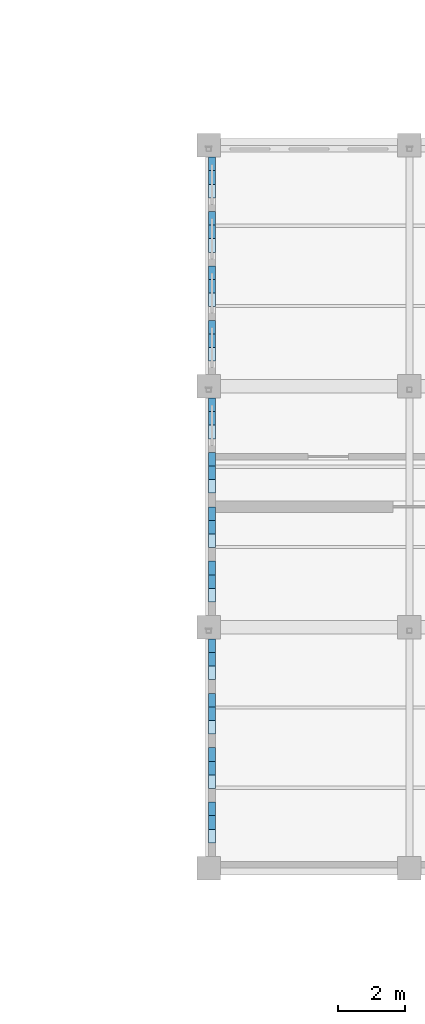
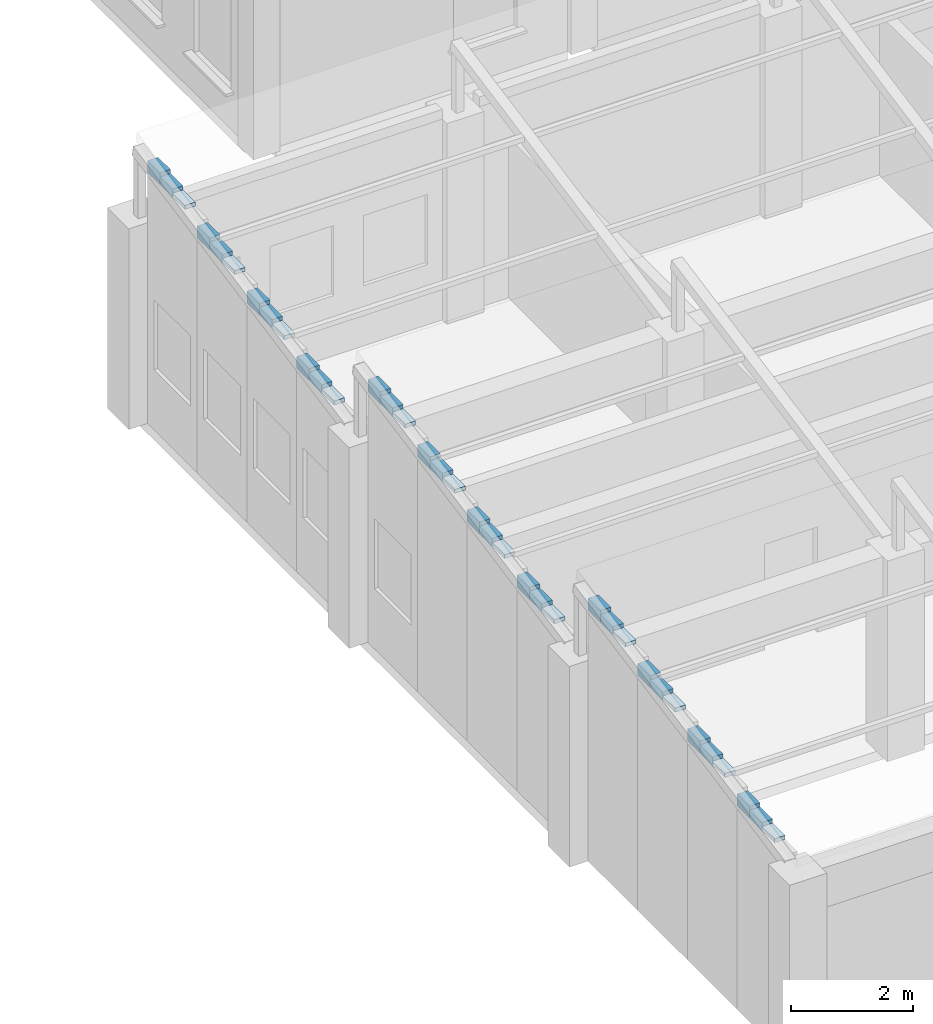
# One storey, part 59 of 103: 36 plates.
"""IFC4 building model written with IfcOpenShell, lengths in metres."""

from ifc_helpers import new_model, si_unit, direction, frame, origin, origin_2d, place, context, subcontext, project, spatial, rectangle, extrude, material, layer, layer_set, type_object, element, save


model = new_model("IFC4")

# Units and contexts
model_context = context("Model", 3, precision=1e-05, world=origin(), true_north=direction((0.0, 1.0)))
body_context = subcontext(model_context, "Body", "Model", "MODEL_VIEW")
ifc_project = project(units=[si_unit("LENGTHUNIT", "METRE"), si_unit("AREAUNIT", "SQUARE_METRE"), si_unit("VOLUMEUNIT", "CUBIC_METRE"), si_unit("PLANEANGLEUNIT", "RADIAN"), si_unit("MASSUNIT", "GRAM", prefix="KILO")], contexts=[model_context])

# Site, building, storey
site_placement = place(None, origin())
site = spatial("IfcSite", under=ifc_project, at=site_placement, CompositionType="ELEMENT")
building_placement = place(site_placement, origin())
building = spatial("IfcBuilding", under=site, at=building_placement, Name="Laocheng Heights Fire and Rescue Headquarters", CompositionType="ELEMENT")
storey_placement = place(building_placement, frame((0.0, 0.0, 4.199951171875)))
storey = spatial("IfcBuildingStorey", under=building, at=storey_placement, Name="L01", CompositionType="ELEMENT", Elevation=4.199951171875)

# Plates
ifc_material = material(Name="Aluminium profiled sheet cladding on insulated steel liner", Category="steel")
ifc_layer = layer(ifc_material, 0.199951171875)
ifc_layer_set = layer_set([ifc_layer], Name="Aluminium profiled sheet cladding on insulated steel liner")
plate_type = type_object("IfcPlateType", Name="SAWTOOTH END CLOSURE PLATE 200", PredefinedType="SHEET", material=ifc_layer_set)
plate_1_placement = place(storey_placement, frame((108.10009765625, 0.95947265625, 4.059326171875), z_axis=(0.0, 0.0, 1.0), x_axis=(1.0, 0.0, 0.0)))
element("IfcPlate", 1, at=plate_1_placement, inside=storey, type_object=plate_type, Name="Sawtooth end closure plate 37", PredefinedType="SHEET", context=body_context, shape_type="SweptSolid", body=[
    extrude(rectangle(XDim=0.199951171875, YDim=0.40625, at=origin_2d()), origin(), (0.0, 0.0, 1.0), 0.0791015625),
])
plate_2_placement = place(storey_placement, frame((108.10009765625, 1.365478515625, 4.0595703125), z_axis=(0.0, 0.0, 1.0), x_axis=(1.0, 0.0, 0.0)))
element("IfcPlate", 2, at=plate_2_placement, inside=storey, type_object=plate_type, Name="Sawtooth end closure plate 38", PredefinedType="SHEET", context=body_context, shape_type="SweptSolid", body=[
    extrude(rectangle(XDim=0.199951171875, YDim=0.40625, at=origin_2d()), origin(), (0.0, 0.0, 1.0), 0.157958984375),
])
plate_3_placement = place(storey_placement, frame((108.10009765625, 1.77197265625, 4.05908203125), z_axis=(0.0, 0.0, 1.0), x_axis=(1.0, 0.0, 0.0)))
element("IfcPlate", 3, at=plate_3_placement, inside=storey, type_object=plate_type, Name="Sawtooth end closure plate 39", PredefinedType="SHEET", context=body_context, shape_type="SweptSolid", body=[
    extrude(rectangle(XDim=0.199951171875, YDim=0.40625, at=origin_2d()), origin(), (0.0, 0.0, 1.0), 0.237060546875),
])
plate_4_placement = place(storey_placement, frame((108.10009765625, 2.58447265625, 4.375244140625), z_axis=(0.0, 0.0, 1.0), x_axis=(1.0, 0.0, 0.0)))
element("IfcPlate", 4, at=plate_4_placement, inside=storey, type_object=plate_type, Name="Sawtooth end closure plate 40", PredefinedType="SHEET", context=body_context, shape_type="SweptSolid", body=[
    extrude(rectangle(XDim=0.199951171875, YDim=0.40625, at=origin_2d()), origin(), (0.0, 0.0, 1.0), 0.0791015625),
])
plate_5_placement = place(storey_placement, frame((108.10009765625, 2.990478515625, 4.37548828125), z_axis=(0.0, 0.0, 1.0), x_axis=(1.0, 0.0, 0.0)))
element("IfcPlate", 5, at=plate_5_placement, inside=storey, type_object=plate_type, Name="Sawtooth end closure plate 41", PredefinedType="SHEET", context=body_context, shape_type="SweptSolid", body=[
    extrude(rectangle(XDim=0.199951171875, YDim=0.40625, at=origin_2d()), origin(), (0.0, 0.0, 1.0), 0.157958984375),
])
plate_6_placement = place(storey_placement, frame((108.10009765625, 3.39697265625, 4.37548828125), z_axis=(0.0, 0.0, 1.0), x_axis=(1.0, 0.0, 0.0)))
element("IfcPlate", 6, at=plate_6_placement, inside=storey, type_object=plate_type, Name="Sawtooth end closure plate 42", PredefinedType="SHEET", context=body_context, shape_type="SweptSolid", body=[
    extrude(rectangle(XDim=0.199951171875, YDim=0.40625, at=origin_2d()), origin(), (0.0, 0.0, 1.0), 0.237060546875),
])
plate_7_placement = place(storey_placement, frame((108.10009765625, 4.20947265625, 4.69140625), z_axis=(0.0, 0.0, 1.0), x_axis=(1.0, 0.0, 0.0)))
element("IfcPlate", 7, at=plate_7_placement, inside=storey, type_object=plate_type, Name="Sawtooth end closure plate 43", PredefinedType="SHEET", context=body_context, shape_type="SweptSolid", body=[
    extrude(rectangle(XDim=0.199951171875, YDim=0.40625, at=origin_2d()), origin(), (0.0, 0.0, 1.0), 0.078857421875),
])
plate_8_placement = place(storey_placement, frame((108.10009765625, 4.615478515625, 4.69140625), z_axis=(0.0, 0.0, 1.0), x_axis=(1.0, 0.0, 0.0)))
element("IfcPlate", 8, at=plate_8_placement, inside=storey, type_object=plate_type, Name="Sawtooth end closure plate 44", PredefinedType="SHEET", context=body_context, shape_type="SweptSolid", body=[
    extrude(rectangle(XDim=0.199951171875, YDim=0.40625, at=origin_2d()), origin(), (0.0, 0.0, 1.0), 0.157958984375),
])
plate_9_placement = place(storey_placement, frame((108.10009765625, 5.02197265625, 4.69140625), z_axis=(0.0, 0.0, 1.0), x_axis=(1.0, 0.0, 0.0)))
element("IfcPlate", 9, at=plate_9_placement, inside=storey, type_object=plate_type, Name="Sawtooth end closure plate 45", PredefinedType="SHEET", context=body_context, shape_type="SweptSolid", body=[
    extrude(rectangle(XDim=0.199951171875, YDim=0.40625, at=origin_2d()), origin(), (0.0, 0.0, 1.0), 0.23681640625),
])
plate_10_placement = place(storey_placement, frame((108.10009765625, 5.83447265625, 5.007080078125), z_axis=(0.0, 0.0, 1.0), x_axis=(1.0, 0.0, 0.0)))
element("IfcPlate", 10, at=plate_10_placement, inside=storey, type_object=plate_type, Name="Sawtooth end closure plate 46", PredefinedType="SHEET", context=body_context, shape_type="SweptSolid", body=[
    extrude(rectangle(XDim=0.199951171875, YDim=0.40625, at=origin_2d()), origin(), (0.0, 0.0, 1.0), 0.0791015625),
])
plate_11_placement = place(storey_placement, frame((108.10009765625, 6.240478515625, 5.00732421875), z_axis=(0.0, 0.0, 1.0), x_axis=(1.0, 0.0, 0.0)))
element("IfcPlate", 11, at=plate_11_placement, inside=storey, type_object=plate_type, Name="Sawtooth end closure plate 47", PredefinedType="SHEET", context=body_context, shape_type="SweptSolid", body=[
    extrude(rectangle(XDim=0.199951171875, YDim=0.40625, at=origin_2d()), origin(), (0.0, 0.0, 1.0), 0.157958984375),
])
plate_12_placement = place(storey_placement, frame((108.10009765625, 6.64697265625, 5.00732421875), z_axis=(0.0, 0.0, 1.0), x_axis=(1.0, 0.0, 0.0)))
element("IfcPlate", 12, at=plate_12_placement, inside=storey, type_object=plate_type, Name="Sawtooth end closure plate 48", PredefinedType="SHEET", context=body_context, shape_type="SweptSolid", body=[
    extrude(rectangle(XDim=0.199951171875, YDim=0.40625, at=origin_2d()), origin(), (0.0, 0.0, 1.0), 0.237060546875),
])
plate_13_placement = place(storey_placement, frame((108.10009765625, 8.159423828125, 4.059326171875), z_axis=(0.0, 0.0, 1.0), x_axis=(1.0, 0.0, 0.0)))
element("IfcPlate", 13, at=plate_13_placement, inside=storey, type_object=plate_type, Name="Sawtooth end closure plate 49", PredefinedType="SHEET", context=body_context, shape_type="SweptSolid", body=[
    extrude(rectangle(XDim=0.199951171875, YDim=0.40625, at=origin_2d()), origin(), (0.0, 0.0, 1.0), 0.0791015625),
])
plate_14_placement = place(storey_placement, frame((108.10009765625, 8.565673828125, 4.0595703125), z_axis=(0.0, 0.0, 1.0), x_axis=(1.0, 0.0, 0.0)))
element("IfcPlate", 14, at=plate_14_placement, inside=storey, type_object=plate_type, Name="Sawtooth end closure plate 50", PredefinedType="SHEET", context=body_context, shape_type="SweptSolid", body=[
    extrude(rectangle(XDim=0.199951171875, YDim=0.40625, at=origin_2d()), origin(), (0.0, 0.0, 1.0), 0.157958984375),
])
plate_15_placement = place(storey_placement, frame((108.10009765625, 8.971923828125, 4.05908203125), z_axis=(0.0, 0.0, 1.0), x_axis=(1.0, 0.0, 0.0)))
element("IfcPlate", 15, at=plate_15_placement, inside=storey, type_object=plate_type, Name="Sawtooth end closure plate 51", PredefinedType="SHEET", context=body_context, shape_type="SweptSolid", body=[
    extrude(rectangle(XDim=0.199951171875, YDim=0.40625, at=origin_2d()), origin(), (0.0, 0.0, 1.0), 0.237060546875),
])
plate_16_placement = place(storey_placement, frame((108.10009765625, 9.784423828125, 4.375244140625), z_axis=(0.0, 0.0, 1.0), x_axis=(1.0, 0.0, 0.0)))
element("IfcPlate", 16, at=plate_16_placement, inside=storey, type_object=plate_type, Name="Sawtooth end closure plate 52", PredefinedType="SHEET", context=body_context, shape_type="SweptSolid", body=[
    extrude(rectangle(XDim=0.199951171875, YDim=0.40625, at=origin_2d()), origin(), (0.0, 0.0, 1.0), 0.0791015625),
])
plate_17_placement = place(storey_placement, frame((108.10009765625, 10.190673828125, 4.37548828125), z_axis=(0.0, 0.0, 1.0), x_axis=(1.0, 0.0, 0.0)))
element("IfcPlate", 17, at=plate_17_placement, inside=storey, type_object=plate_type, Name="Sawtooth end closure plate 53", PredefinedType="SHEET", context=body_context, shape_type="SweptSolid", body=[
    extrude(rectangle(XDim=0.199951171875, YDim=0.40625, at=origin_2d()), origin(), (0.0, 0.0, 1.0), 0.157958984375),
])
plate_18_placement = place(storey_placement, frame((108.10009765625, 10.596923828125, 4.37548828125), z_axis=(0.0, 0.0, 1.0), x_axis=(1.0, 0.0, 0.0)))
element("IfcPlate", 18, at=plate_18_placement, inside=storey, type_object=plate_type, Name="Sawtooth end closure plate 54", PredefinedType="SHEET", context=body_context, shape_type="SweptSolid", body=[
    extrude(rectangle(XDim=0.199951171875, YDim=0.40625, at=origin_2d()), origin(), (0.0, 0.0, 1.0), 0.237060546875),
])
plate_19_placement = place(storey_placement, frame((108.10009765625, 11.409423828125, 4.69140625), z_axis=(0.0, 0.0, 1.0), x_axis=(1.0, 0.0, 0.0)))
element("IfcPlate", 19, at=plate_19_placement, inside=storey, type_object=plate_type, Name="Sawtooth end closure plate 55", PredefinedType="SHEET", context=body_context, shape_type="SweptSolid", body=[
    extrude(rectangle(XDim=0.199951171875, YDim=0.40625, at=origin_2d()), origin(), (0.0, 0.0, 1.0), 0.078857421875),
])
plate_20_placement = place(storey_placement, frame((108.10009765625, 11.815673828125, 4.69140625), z_axis=(0.0, 0.0, 1.0), x_axis=(1.0, 0.0, 0.0)))
element("IfcPlate", 20, at=plate_20_placement, inside=storey, type_object=plate_type, Name="Sawtooth end closure plate 56", PredefinedType="SHEET", context=body_context, shape_type="SweptSolid", body=[
    extrude(rectangle(XDim=0.199951171875, YDim=0.40625, at=origin_2d()), origin(), (0.0, 0.0, 1.0), 0.157958984375),
])
plate_21_placement = place(storey_placement, frame((108.10009765625, 12.221923828125, 4.69140625), z_axis=(0.0, 0.0, 1.0), x_axis=(1.0, 0.0, 0.0)))
element("IfcPlate", 21, at=plate_21_placement, inside=storey, type_object=plate_type, Name="Sawtooth end closure plate 57", PredefinedType="SHEET", context=body_context, shape_type="SweptSolid", body=[
    extrude(rectangle(XDim=0.199951171875, YDim=0.40625, at=origin_2d()), origin(), (0.0, 0.0, 1.0), 0.23681640625),
])
plate_22_placement = place(storey_placement, frame((108.10009765625, 13.034423828125, 5.007080078125), z_axis=(0.0, 0.0, 1.0), x_axis=(1.0, 0.0, 0.0)))
element("IfcPlate", 22, at=plate_22_placement, inside=storey, type_object=plate_type, Name="Sawtooth end closure plate 58", PredefinedType="SHEET", context=body_context, shape_type="SweptSolid", body=[
    extrude(rectangle(XDim=0.199951171875, YDim=0.40625, at=origin_2d()), origin(), (0.0, 0.0, 1.0), 0.0791015625),
])
plate_23_placement = place(storey_placement, frame((108.10009765625, 13.440673828125, 5.00732421875), z_axis=(0.0, 0.0, 1.0), x_axis=(1.0, 0.0, 0.0)))
element("IfcPlate", 23, at=plate_23_placement, inside=storey, type_object=plate_type, Name="Sawtooth end closure plate 59", PredefinedType="SHEET", context=body_context, shape_type="SweptSolid", body=[
    extrude(rectangle(XDim=0.199951171875, YDim=0.40625, at=origin_2d()), origin(), (0.0, 0.0, 1.0), 0.157958984375),
])
plate_24_placement = place(storey_placement, frame((108.10009765625, 13.846923828125, 5.00732421875), z_axis=(0.0, 0.0, 1.0), x_axis=(1.0, 0.0, 0.0)))
element("IfcPlate", 24, at=plate_24_placement, inside=storey, type_object=plate_type, Name="Sawtooth end closure plate 60", PredefinedType="SHEET", context=body_context, shape_type="SweptSolid", body=[
    extrude(rectangle(XDim=0.199951171875, YDim=0.40625, at=origin_2d()), origin(), (0.0, 0.0, 1.0), 0.237060546875),
])
plate_25_placement = place(storey_placement, frame((108.10009765625, 15.359375, 4.059326171875), z_axis=(0.0, 0.0, 1.0), x_axis=(1.0, 0.0, 0.0)))
element("IfcPlate", 25, at=plate_25_placement, inside=storey, type_object=plate_type, Name="Sawtooth end closure plate 61", PredefinedType="SHEET", context=body_context, shape_type="SweptSolid", body=[
    extrude(rectangle(XDim=0.199951171875, YDim=0.40625, at=origin_2d()), origin(), (0.0, 0.0, 1.0), 0.0791015625),
])
plate_26_placement = place(storey_placement, frame((108.10009765625, 15.765625, 4.0595703125), z_axis=(0.0, 0.0, 1.0), x_axis=(1.0, 0.0, 0.0)))
element("IfcPlate", 26, at=plate_26_placement, inside=storey, type_object=plate_type, Name="Sawtooth end closure plate 62", PredefinedType="SHEET", context=body_context, shape_type="SweptSolid", body=[
    extrude(rectangle(XDim=0.199951171875, YDim=0.40625, at=origin_2d()), origin(), (0.0, 0.0, 1.0), 0.157958984375),
])
plate_27_placement = place(storey_placement, frame((108.10009765625, 16.171875, 4.05908203125), z_axis=(0.0, 0.0, 1.0), x_axis=(1.0, 0.0, 0.0)))
element("IfcPlate", 27, at=plate_27_placement, inside=storey, type_object=plate_type, Name="Sawtooth end closure plate 63", PredefinedType="SHEET", context=body_context, shape_type="SweptSolid", body=[
    extrude(rectangle(XDim=0.199951171875, YDim=0.40625, at=origin_2d()), origin(), (0.0, 0.0, 1.0), 0.237060546875),
])
plate_28_placement = place(storey_placement, frame((108.10009765625, 16.984375, 4.375244140625), z_axis=(0.0, 0.0, 1.0), x_axis=(1.0, 0.0, 0.0)))
element("IfcPlate", 28, at=plate_28_placement, inside=storey, type_object=plate_type, Name="Sawtooth end closure plate 64", PredefinedType="SHEET", context=body_context, shape_type="SweptSolid", body=[
    extrude(rectangle(XDim=0.199951171875, YDim=0.40625, at=origin_2d()), origin(), (0.0, 0.0, 1.0), 0.0791015625),
])
plate_29_placement = place(storey_placement, frame((108.10009765625, 17.390625, 4.37548828125), z_axis=(0.0, 0.0, 1.0), x_axis=(1.0, 0.0, 0.0)))
element("IfcPlate", 29, at=plate_29_placement, inside=storey, type_object=plate_type, Name="Sawtooth end closure plate 65", PredefinedType="SHEET", context=body_context, shape_type="SweptSolid", body=[
    extrude(rectangle(XDim=0.199951171875, YDim=0.40625, at=origin_2d()), origin(), (0.0, 0.0, 1.0), 0.157958984375),
])
plate_30_placement = place(storey_placement, frame((108.10009765625, 17.796875, 4.37548828125), z_axis=(0.0, 0.0, 1.0), x_axis=(1.0, 0.0, 0.0)))
element("IfcPlate", 30, at=plate_30_placement, inside=storey, type_object=plate_type, Name="Sawtooth end closure plate 66", PredefinedType="SHEET", context=body_context, shape_type="SweptSolid", body=[
    extrude(rectangle(XDim=0.199951171875, YDim=0.40625, at=origin_2d()), origin(), (0.0, 0.0, 1.0), 0.237060546875),
])
plate_31_placement = place(storey_placement, frame((108.10009765625, 18.609375, 4.69140625), z_axis=(0.0, 0.0, 1.0), x_axis=(1.0, 0.0, 0.0)))
element("IfcPlate", 31, at=plate_31_placement, inside=storey, type_object=plate_type, Name="Sawtooth end closure plate 67", PredefinedType="SHEET", context=body_context, shape_type="SweptSolid", body=[
    extrude(rectangle(XDim=0.199951171875, YDim=0.40625, at=origin_2d()), origin(), (0.0, 0.0, 1.0), 0.078857421875),
])
plate_32_placement = place(storey_placement, frame((108.10009765625, 19.015625, 4.69140625), z_axis=(0.0, 0.0, 1.0), x_axis=(1.0, 0.0, 0.0)))
element("IfcPlate", 32, at=plate_32_placement, inside=storey, type_object=plate_type, Name="Sawtooth end closure plate 68", PredefinedType="SHEET", context=body_context, shape_type="SweptSolid", body=[
    extrude(rectangle(XDim=0.199951171875, YDim=0.40625, at=origin_2d()), origin(), (0.0, 0.0, 1.0), 0.157958984375),
])
plate_33_placement = place(storey_placement, frame((108.10009765625, 19.421875, 4.69140625), z_axis=(0.0, 0.0, 1.0), x_axis=(1.0, 0.0, 0.0)))
element("IfcPlate", 33, at=plate_33_placement, inside=storey, type_object=plate_type, Name="Sawtooth end closure plate 69", PredefinedType="SHEET", context=body_context, shape_type="SweptSolid", body=[
    extrude(rectangle(XDim=0.199951171875, YDim=0.40625, at=origin_2d()), origin(), (0.0, 0.0, 1.0), 0.23681640625),
])
plate_34_placement = place(storey_placement, frame((108.10009765625, 20.234375, 5.007080078125), z_axis=(0.0, 0.0, 1.0), x_axis=(1.0, 0.0, 0.0)))
element("IfcPlate", 34, at=plate_34_placement, inside=storey, type_object=plate_type, Name="Sawtooth end closure plate 70", PredefinedType="SHEET", context=body_context, shape_type="SweptSolid", body=[
    extrude(rectangle(XDim=0.199951171875, YDim=0.40625, at=origin_2d()), origin(), (0.0, 0.0, 1.0), 0.0791015625),
])
plate_35_placement = place(storey_placement, frame((108.10009765625, 20.640625, 5.00732421875), z_axis=(0.0, 0.0, 1.0), x_axis=(1.0, 0.0, 0.0)))
element("IfcPlate", 35, at=plate_35_placement, inside=storey, type_object=plate_type, Name="Sawtooth end closure plate 71", PredefinedType="SHEET", context=body_context, shape_type="SweptSolid", body=[
    extrude(rectangle(XDim=0.199951171875, YDim=0.40625, at=origin_2d()), origin(), (0.0, 0.0, 1.0), 0.157958984375),
])
plate_36_placement = place(storey_placement, frame((108.10009765625, 21.046875, 5.00732421875), z_axis=(0.0, 0.0, 1.0), x_axis=(1.0, 0.0, 0.0)))
element("IfcPlate", 36, at=plate_36_placement, inside=storey, type_object=plate_type, Name="Sawtooth end closure plate 72", PredefinedType="SHEET", context=body_context, shape_type="SweptSolid", body=[
    extrude(rectangle(XDim=0.199951171875, YDim=0.40625, at=origin_2d()), origin(), (0.0, 0.0, 1.0), 0.237060546875),
])

save(model, "model.ifc")
